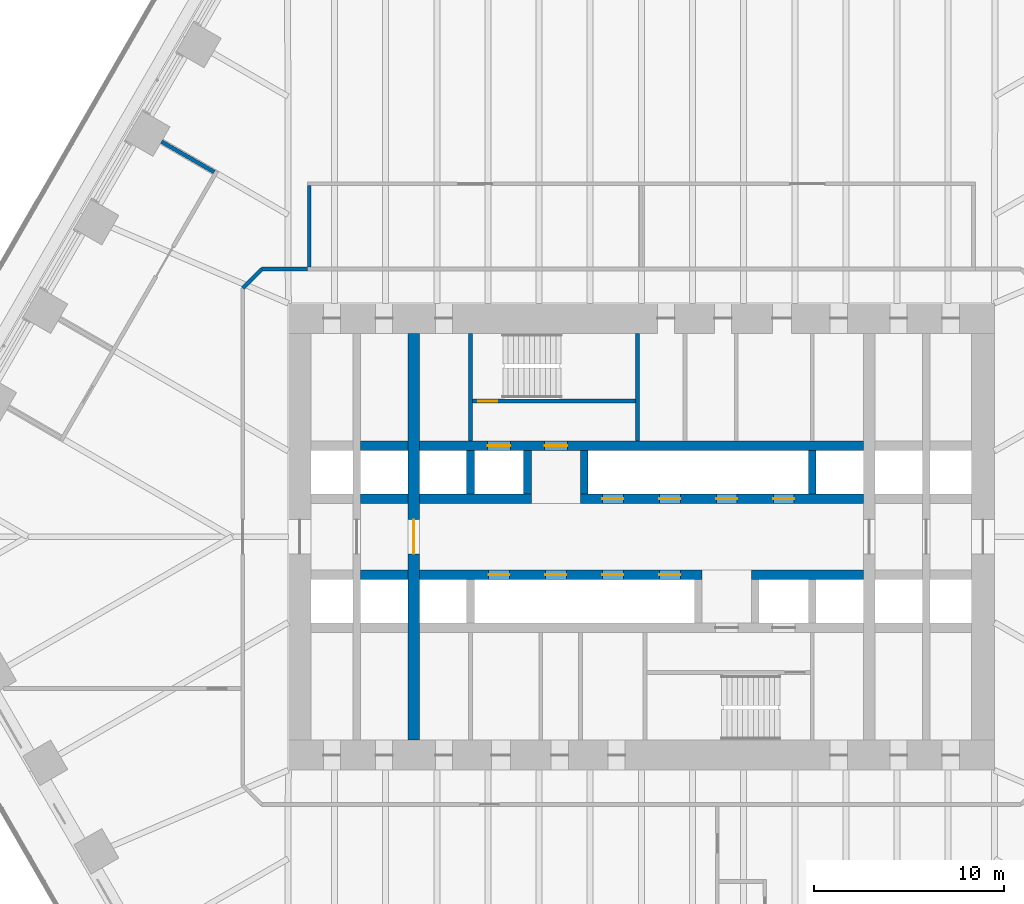
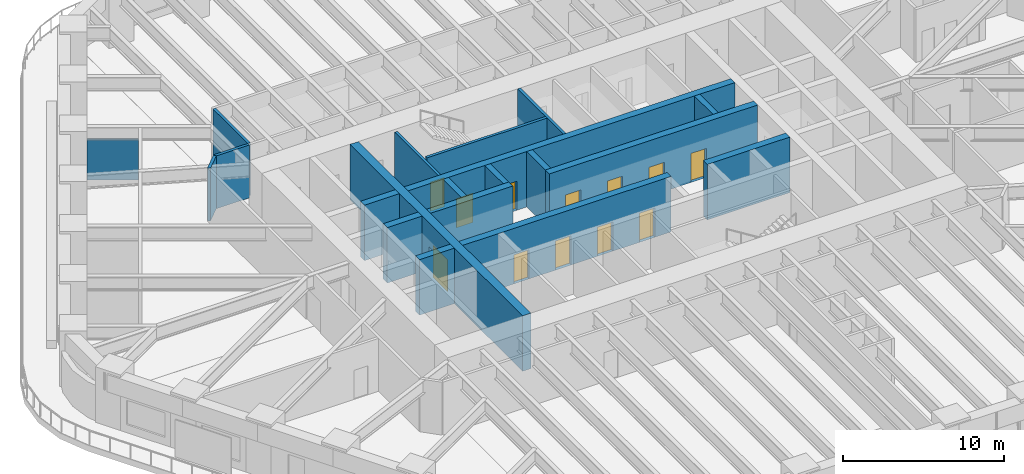
# One storey, part 18 of 24: 20 walls, 12 doors, 12 openings.
"""IFC4 building model written with IfcOpenShell, lengths in metres."""

from ifc_helpers import new_model, si_unit, direction, frame, frame_2d, origin, place, context, subcontext, project, spatial, rectangle, extrude, material, layer, layer_set, type_object, element, fill, save


model = new_model("IFC4")

# Units and contexts
model_context = context("Model", 3, precision=1e-05, world=origin(), true_north=direction((0.0, 1.0)))
body_context = subcontext(model_context, "Body", "Model", "MODEL_VIEW")
ifc_project = project(units=[si_unit("LENGTHUNIT", "METRE"), si_unit("AREAUNIT", "SQUARE_METRE"), si_unit("VOLUMEUNIT", "CUBIC_METRE"), si_unit("PLANEANGLEUNIT", "RADIAN"), si_unit("MASSUNIT", "GRAM", prefix="KILO")], contexts=[model_context])

# Site, building, storey
site_placement = place(None, origin())
site = spatial("IfcSite", under=ifc_project, at=site_placement, CompositionType="ELEMENT")
building_placement = place(site_placement, origin())
building = spatial("IfcBuilding", under=site, at=building_placement, Name="Tarfa Lantern Tower", CompositionType="ELEMENT")
storey_placement = place(building_placement, frame((0.0, 0.0, 90.699951171875)))
storey = spatial("IfcBuildingStorey", under=building, at=storey_placement, Name="L20", CompositionType="ELEMENT", Elevation=90.699951171875)

# Walls
ifc_material_1 = material(Name="Concrete blockwork", Category="masonry")
ifc_layer_1 = layer(ifc_material_1, 0.199951171875)
ifc_layer_set_1 = layer_set([ifc_layer_1], Name="IW1 BLOCKWORK PARTITION 200 EI 120")
wall_type_1 = type_object("IfcWallType", Name="IW1 BLOCKWORK PARTITION 200 EI 120", PredefinedType="PARTITIONING", material=ifc_layer_set_1)
wall_1_placement = place(storey_placement, frame((-9.0, 5.050048828125, 0.0), z_axis=(0.0, 0.0, 1.0), x_axis=(0.0, 1.0, 0.0)))
element("IfcWall", 1, at=wall_1_placement, inside=storey, type_object=wall_type_1, Name="Core partition", PredefinedType="PARTITIONING", context=body_context, shape_type="SweptSolid", body=[
    extrude(rectangle(XDim=5.64990234375, YDim=0.199951171875, at=frame_2d((2.824951171875, 0.0))), origin(), (0.0, 0.0, 1.0), 4.0),
])
ifc_material_2 = material(Name="Gypsum board on steel studs", Category="steel")
ifc_layer_2 = layer(ifc_material_2, 0.2099609375)
ifc_layer_set_2 = layer_set([ifc_layer_2], Name="IW2 ACOUSTIC PARTITION 200")
wall_type_2 = type_object("IfcWallType", Name="IW2 ACOUSTIC PARTITION 200", PredefinedType="PARTITIONING", material=ifc_layer_set_2)
wall_2_placement = place(storey_placement, frame((-17.5, 14.199951171875, 0.0), z_axis=(0.0, 0.0, 1.0), x_axis=(0.0, 1.0, 0.0)))
element("IfcWall", 2, at=wall_2_placement, inside=storey, type_object=wall_type_2, Name="Partition", PredefinedType="PARTITIONING", context=body_context, shape_type="SweptSolid", body=[
    extrude(rectangle(XDim=4.300048828125, YDim=0.199951171875, at=frame_2d((2.14990234375, 0.0))), origin(), (0.0, 0.0, 1.0), 4.0),
])
wall_3_placement = place(storey_placement, frame((-22.507080078125, 19.216552734375, 0.0), z_axis=(0.0, 0.0, 1.0), x_axis=(-0.866008981251, 0.500028443584, 0.0)))
element("IfcWall", 3, at=wall_3_placement, inside=storey, type_object=wall_type_2, Name="Partition", PredefinedType="PARTITIONING", context=body_context, shape_type="SweptSolid", body=[
    extrude(rectangle(XDim=3.199951171875, YDim=0.199951171875, at=frame_2d((1.60009765625, 0.0))), origin(), (0.0, 0.0, 1.0), 2.991943359375),
])
wall_4_placement = place(storey_placement, frame((-20.0, 14.10009765625, 0.0), z_axis=(0.0, 0.0, 1.0), x_axis=(1.0, 0.0, 0.0)))
element("IfcWall", 4, at=wall_4_placement, inside=storey, type_object=wall_type_2, Name="Partition", PredefinedType="PARTITIONING", context=body_context, shape_type="SweptSolid", body=[
    extrude(rectangle(XDim=2.39990234375, YDim=0.199951171875, at=frame_2d((1.199951171875, 0.0))), origin(), (0.0, 0.0, 1.0), 4.0),
])
wall_5_placement = place(storey_placement, frame((-21.0, 13.10009765625, 0.0), z_axis=(0.0, 0.0, 1.0), x_axis=(0.707106781187, 0.707106781187, 0.0)))
element("IfcWall", 5, at=wall_5_placement, inside=storey, type_object=wall_type_2, Name="Partition", PredefinedType="PARTITIONING", context=body_context, shape_type="SweptSolid", body=[
    extrude(rectangle(XDim=1.414306640625, YDim=0.199951171875, at=frame_2d((0.70703125, 0.0))), origin(), (0.0, 0.0, 1.0), 4.0),
])
ifc_material_3 = material(Name="Concrete C80/95", Category="concrete")
ifc_layer_3 = layer(ifc_material_3, 0.199951171875)
ifc_layer_set_3 = layer_set([ifc_layer_3], Name="SW12 CORE WALL 200")
wall_type_3 = type_object("IfcWallType", Name="SW12 CORE WALL 200", PredefinedType="SHEAR", material=ifc_layer_set_3)
wall_6_placement = place(storey_placement, frame((-0.199951171875, 5.050048828125, 0.0), z_axis=(0.0, 0.0, 1.0), x_axis=(0.0, 1.0, 0.0)))
element("IfcWall", 6, at=wall_6_placement, inside=storey, type_object=wall_type_3, Name="Core wall stair shaft N", PredefinedType="SHEAR", context=body_context, shape_type="SweptSolid", body=[
    extrude(rectangle(XDim=5.64990234375, YDim=0.199951171875, at=frame_2d((2.824951171875, 0.0))), origin(), (0.0, 0.0, 1.0), 4.199951171875),
])

# Wall, opening, door
wall_7_placement = place(storey_placement, frame((-8.89990234375, 7.14990234375, 0.0), z_axis=(0.0, 0.0, 1.0), x_axis=(1.0, 0.0, 0.0)))
wall_7 = element("IfcWall", 7, at=wall_7_placement, inside=storey, type_object=wall_type_3, Name="Core wall stair partition N", PredefinedType="SHEAR", context=body_context, shape_type="SweptSolid", body=[
    extrude(rectangle(XDim=8.599853515625, YDim=0.199951171875, at=frame_2d((4.2998046875, 0.0))), origin(), (0.0, 0.0, 1.0), 4.199951171875),
])
opening_1_placement = place(wall_7_placement, frame((0.300048828125, 0.0, 0.0)))
opening_1 = element("IfcOpeningElement", 8, at=opening_1_placement, cuts=wall_7, Name="Opening D23", PredefinedType="OPENING", context=body_context, shape_type="SweptSolid", body=[
    extrude(rectangle(XDim=1.0, YDim=2.199951171875, at=frame_2d((0.5, 1.10009765625))), frame((0.0, 0.10986328125, 0.0), z_axis=(0.0, -1.0, 0.0), x_axis=(1.0, 0.0, 0.0)), (0.0, 0.0, 1.0), 0.219970703125),
])
ifc_material_4 = material(Name="Steel fire door", Category="steel")
door_type_1 = type_object("IfcDoorType", Name="DF2 STAIR DOOR 1000x2200", OperationType="SINGLE_SWING_LEFT", PredefinedType="DOOR", material=ifc_material_4)
door_1_placement = place(opening_1_placement, origin())
door_1 = element("IfcDoor", 9, at=door_1_placement, inside=storey, type_object=door_type_1, Name="Stair door", OperationType="SINGLE_SWING_RIGHT", OverallHeight=2.199951171875, OverallWidth=1.0, PredefinedType="DOOR", context=body_context, shape_type="SweptSolid", body=[
    extrude(rectangle(XDim=1.0, YDim=2.199951171875, at=frame_2d((0.5, 1.10009765625))), frame((0.0, 0.02490234375, 0.0), z_axis=(0.0, -1.0, 0.0), x_axis=(1.0, 0.0, 0.0)), (0.0, 0.0, 1.0), 0.050048828125),
])
fill(opening_1, door_1)

# Walls
ifc_layer_4 = layer(ifc_material_3, 0.5)
ifc_layer_set_4 = layer_set([ifc_layer_4], Name="SW5 CORE WALL 500")
wall_type_4 = type_object("IfcWallType", Name="SW5 CORE WALL 500", PredefinedType="SHEAR", material=ifc_layer_set_4)
wall_8_placement = place(storey_placement, frame((-14.800048828125, 2.0, 0.0), z_axis=(0.0, 0.0, 1.0), x_axis=(1.0, 0.0, 0.0)))
element("IfcWall", 10, at=wall_8_placement, inside=storey, type_object=wall_type_4, Name="Core wall lobby west N", PredefinedType="SHEAR", context=body_context, shape_type="SweptSolid", body=[
    extrude(rectangle(XDim=2.5, YDim=0.5, at=frame_2d((1.25, 0.0))), origin(), (0.0, 0.0, 1.0), 4.199951171875),
])
wall_9_placement = place(storey_placement, frame((-11.699951171875, 2.0, 0.0), z_axis=(0.0, 0.0, 1.0), x_axis=(1.0, 0.0, 0.0)))
element("IfcWall", 11, at=wall_9_placement, inside=storey, type_object=wall_type_4, Name="Core wall lobby west N", PredefinedType="SHEAR", context=body_context, shape_type="SweptSolid", body=[
    extrude(rectangle(XDim=5.89990234375, YDim=0.5, at=frame_2d((2.949951171875, 0.0))), origin(), (0.0, 0.0, 1.0), 4.199951171875),
])

# Wall, openings, doors
wall_10_placement = place(storey_placement, frame((-3.199951171875, 2.0, 0.0), z_axis=(0.0, 0.0, 1.0), x_axis=(1.0, 0.0, 0.0)))
wall_10 = element("IfcWall", 12, at=wall_10_placement, inside=storey, type_object=wall_type_4, Name="Core wall lobby east N", PredefinedType="SHEAR", context=body_context, shape_type="SweptSolid", body=[
    extrude(rectangle(XDim=14.89990234375, YDim=0.5, at=frame_2d((7.449951171875, 0.0))), origin(), (0.0, 0.0, 1.0), 4.199951171875),
])
opening_2_placement = place(wall_10_placement, frame((1.14990234375, 0.0, 0.0)))
opening_2 = element("IfcOpeningElement", 13, at=opening_2_placement, cuts=wall_10, Name="Opening LD03", PredefinedType="OPENING", context=body_context, shape_type="SweptSolid", body=[
    extrude(rectangle(XDim=1.10009765625, YDim=2.199951171875, at=frame_2d((0.550048828125, 1.10009765625))), frame((0.0, 0.260009765625, 0.0), z_axis=(0.0, -1.0, 0.0), x_axis=(1.0, 0.0, 0.0)), (0.0, 0.0, 1.0), 0.52001953125),
])
opening_3_placement = place(wall_10_placement, frame((4.14990234375, 0.0, 0.0)))
opening_3 = element("IfcOpeningElement", 14, at=opening_3_placement, cuts=wall_10, Name="Opening LD04", PredefinedType="OPENING", context=body_context, shape_type="SweptSolid", body=[
    extrude(rectangle(XDim=1.10009765625, YDim=2.199951171875, at=frame_2d((0.550048828125, 1.10009765625))), frame((0.0, 0.260009765625, 0.0), z_axis=(0.0, -1.0, 0.0), x_axis=(1.0, 0.0, 0.0)), (0.0, 0.0, 1.0), 0.52001953125),
])
opening_4_placement = place(wall_10_placement, frame((7.14990234375, 0.0, 0.0)))
opening_4 = element("IfcOpeningElement", 15, at=opening_4_placement, cuts=wall_10, Name="Opening LD05", PredefinedType="OPENING", context=body_context, shape_type="SweptSolid", body=[
    extrude(rectangle(XDim=1.10009765625, YDim=2.199951171875, at=frame_2d((0.550048828125, 1.10009765625))), frame((0.0, 0.260009765625, 0.0), z_axis=(0.0, -1.0, 0.0), x_axis=(1.0, 0.0, 0.0)), (0.0, 0.0, 1.0), 0.52001953125),
])
opening_5_placement = place(wall_10_placement, frame((10.14990234375, 0.0, 0.0)))
opening_5 = element("IfcOpeningElement", 16, at=opening_5_placement, cuts=wall_10, Name="Opening LD06", PredefinedType="OPENING", context=body_context, shape_type="SweptSolid", body=[
    extrude(rectangle(XDim=1.10009765625, YDim=2.199951171875, at=frame_2d((0.550048828125, 1.10009765625))), frame((0.0, 0.260009765625, 0.0), z_axis=(0.0, -1.0, 0.0), x_axis=(1.0, 0.0, 0.0)), (0.0, 0.0, 1.0), 0.52001953125),
])
ifc_material_5 = material(Name="Stainless steel lift door", Category="steel")
door_type_2 = type_object("IfcDoorType", Name="LD2 LIFT LANDING DOOR 1100x2200", OperationType="SLIDING_TO_LEFT", PredefinedType="DOOR", material=ifc_material_5)
door_2_placement = place(opening_2_placement, frame((1.10009765625, 0.0, 0.0), z_axis=(0.0, 0.0, 1.0), x_axis=(-1.0, 0.0, 0.0)))
door_2 = element("IfcDoor", 17, at=door_2_placement, inside=storey, type_object=door_type_2, Name="Landing door PA1", OperationType="SLIDING_TO_LEFT", OverallHeight=2.199951171875, OverallWidth=1.10009765625, PredefinedType="DOOR", context=body_context, shape_type="SweptSolid", body=[
    extrude(rectangle(XDim=1.10009765625, YDim=2.199951171875, at=frame_2d((0.550048828125, 1.10009765625))), frame((0.0, 0.02490234375, 0.0), z_axis=(0.0, -1.0, 0.0), x_axis=(1.0, 0.0, 0.0)), (0.0, 0.0, 1.0), 0.050048828125),
])
fill(opening_2, door_2)
door_3_placement = place(opening_3_placement, frame((1.10009765625, 0.0, 0.0), z_axis=(0.0, 0.0, 1.0), x_axis=(-1.0, 0.0, 0.0)))
door_3 = element("IfcDoor", 18, at=door_3_placement, inside=storey, type_object=door_type_2, Name="Landing door PA2", OperationType="SLIDING_TO_LEFT", OverallHeight=2.199951171875, OverallWidth=1.10009765625, PredefinedType="DOOR", context=body_context, shape_type="SweptSolid", body=[
    extrude(rectangle(XDim=1.10009765625, YDim=2.199951171875, at=frame_2d((0.550048828125, 1.10009765625))), frame((0.0, 0.02490234375, 0.0), z_axis=(0.0, -1.0, 0.0), x_axis=(1.0, 0.0, 0.0)), (0.0, 0.0, 1.0), 0.050048828125),
])
fill(opening_3, door_3)
door_4_placement = place(opening_4_placement, frame((1.10009765625, 0.0, 0.0), z_axis=(0.0, 0.0, 1.0), x_axis=(-1.0, 0.0, 0.0)))
door_4 = element("IfcDoor", 19, at=door_4_placement, inside=storey, type_object=door_type_2, Name="Landing door PA3", OperationType="SLIDING_TO_LEFT", OverallHeight=2.199951171875, OverallWidth=1.10009765625, PredefinedType="DOOR", context=body_context, shape_type="SweptSolid", body=[
    extrude(rectangle(XDim=1.10009765625, YDim=2.199951171875, at=frame_2d((0.550048828125, 1.10009765625))), frame((0.0, 0.02490234375, 0.0), z_axis=(0.0, -1.0, 0.0), x_axis=(1.0, 0.0, 0.0)), (0.0, 0.0, 1.0), 0.050048828125),
])
fill(opening_4, door_4)
door_5_placement = place(opening_5_placement, frame((1.10009765625, 0.0, 0.0), z_axis=(0.0, 0.0, 1.0), x_axis=(-1.0, 0.0, 0.0)))
door_5 = element("IfcDoor", 20, at=door_5_placement, inside=storey, type_object=door_type_2, Name="Landing door PA4", OperationType="SLIDING_TO_LEFT", OverallHeight=2.199951171875, OverallWidth=1.10009765625, PredefinedType="DOOR", context=body_context, shape_type="SweptSolid", body=[
    extrude(rectangle(XDim=1.10009765625, YDim=2.199951171875, at=frame_2d((0.550048828125, 1.10009765625))), frame((0.0, 0.02490234375, 0.0), z_axis=(0.0, -1.0, 0.0), x_axis=(1.0, 0.0, 0.0)), (0.0, 0.0, 1.0), 0.050048828125),
])
fill(opening_5, door_5)

# Wall
wall_11_placement = place(storey_placement, frame((-14.800048828125, 4.800048828125, 0.0), z_axis=(0.0, 0.0, 1.0), x_axis=(1.0, 0.0, 0.0)))
element("IfcWall", 21, at=wall_11_placement, inside=storey, type_object=wall_type_4, Name="Core wall rear N", PredefinedType="SHEAR", context=body_context, shape_type="SweptSolid", body=[
    extrude(rectangle(XDim=2.5, YDim=0.5, at=frame_2d((1.25, 0.0))), origin(), (0.0, 0.0, 1.0), 4.199951171875),
])

# Wall, openings, doors
wall_12_placement = place(storey_placement, frame((-11.699951171875, 4.800048828125, 0.0), z_axis=(0.0, 0.0, 1.0), x_axis=(1.0, 0.0, 0.0)))
wall_12 = element("IfcWall", 22, at=wall_12_placement, inside=storey, type_object=wall_type_4, Name="Core wall rear N", PredefinedType="SHEAR", context=body_context, shape_type="SweptSolid", body=[
    extrude(rectangle(XDim=23.39990234375, YDim=0.5, at=frame_2d((11.699951171875, 0.0))), origin(), (0.0, 0.0, 1.0), 4.199951171875),
])
opening_6_placement = place(wall_12_placement, frame((6.60009765625, 0.0, 0.0)))
opening_6 = element("IfcOpeningElement", 23, at=opening_6_placement, cuts=wall_12, Name="Opening D13", PredefinedType="OPENING", context=body_context, shape_type="SweptSolid", body=[
    extrude(rectangle(XDim=1.199951171875, YDim=2.199951171875, at=frame_2d((0.60009765625, 1.10009765625))), frame((0.0, 0.260009765625, 0.0), z_axis=(0.0, -1.0, 0.0), x_axis=(1.0, 0.0, 0.0)), (0.0, 0.0, 1.0), 0.52001953125),
])
opening_7_placement = place(wall_12_placement, frame((3.60009765625, 0.0, 0.0)))
opening_7 = element("IfcOpeningElement", 24, at=opening_7_placement, cuts=wall_12, Name="Opening LD01", PredefinedType="OPENING", context=body_context, shape_type="SweptSolid", body=[
    extrude(rectangle(XDim=1.199951171875, YDim=2.199951171875, at=frame_2d((0.60009765625, 1.10009765625))), frame((0.0, 0.260009765625, 0.0), z_axis=(0.0, -1.0, 0.0), x_axis=(1.0, 0.0, 0.0)), (0.0, 0.0, 1.0), 0.52001953125),
])
door_type_3 = type_object("IfcDoorType", Name="DF1 FIREFIGHTING LOBBY DOOR 1200x2200", OperationType="SINGLE_SWING_LEFT", PredefinedType="DOOR", material=ifc_material_4)
door_6_placement = place(opening_6_placement, origin())
door_6 = element("IfcDoor", 25, at=door_6_placement, inside=storey, type_object=door_type_3, Name="Firefighting lobby door", OperationType="SINGLE_SWING_LEFT", OverallHeight=2.199951171875, OverallWidth=1.199951171875, PredefinedType="DOOR", context=body_context, shape_type="SweptSolid", body=[
    extrude(rectangle(XDim=1.199951171875, YDim=2.199951171875, at=frame_2d((0.60009765625, 1.10009765625))), frame((0.0, 0.02490234375, 0.0), z_axis=(0.0, -1.0, 0.0), x_axis=(1.0, 0.0, 0.0)), (0.0, 0.0, 1.0), 0.050048828125),
])
fill(opening_6, door_6)
door_type_4 = type_object("IfcDoorType", Name="LD1 LIFT LANDING DOOR 1200x2200", OperationType="SLIDING_TO_LEFT", PredefinedType="DOOR", material=ifc_material_5)
door_7_placement = place(opening_7_placement, origin())
door_7 = element("IfcDoor", 26, at=door_7_placement, inside=storey, type_object=door_type_4, Name="Landing door FL1", OperationType="SLIDING_TO_LEFT", OverallHeight=2.199951171875, OverallWidth=1.199951171875, PredefinedType="DOOR", context=body_context, shape_type="SweptSolid", body=[
    extrude(rectangle(XDim=1.199951171875, YDim=2.199951171875, at=frame_2d((0.60009765625, 1.10009765625))), frame((0.0, 0.02490234375, 0.0), z_axis=(0.0, -1.0, 0.0), x_axis=(1.0, 0.0, 0.0)), (0.0, 0.0, 1.0), 0.050048828125),
])
fill(opening_7, door_7)

# Wall
wall_13_placement = place(storey_placement, frame((11.699951171875, -2.0, 0.0), z_axis=(0.0, 0.0, 1.0), x_axis=(-1.0, 0.0, 0.0)))
element("IfcWall", 27, at=wall_13_placement, inside=storey, type_object=wall_type_4, Name="Core wall lobby west S", PredefinedType="SHEAR", context=body_context, shape_type="SweptSolid", body=[
    extrude(rectangle(XDim=5.89990234375, YDim=0.5, at=frame_2d((2.949951171875, 0.0))), origin(), (0.0, 0.0, 1.0), 4.199951171875),
])

# Wall, openings, doors
wall_14_placement = place(storey_placement, frame((3.199951171875, -2.0, 0.0), z_axis=(0.0, 0.0, 1.0), x_axis=(-1.0, 0.0, 0.0)))
wall_14 = element("IfcWall", 28, at=wall_14_placement, inside=storey, type_object=wall_type_4, Name="Core wall lobby east S", PredefinedType="SHEAR", context=body_context, shape_type="SweptSolid", body=[
    extrude(rectangle(XDim=14.89990234375, YDim=0.5, at=frame_2d((7.449951171875, 0.0))), origin(), (0.0, 0.0, 1.0), 4.199951171875),
])
opening_8_placement = place(wall_14_placement, frame((1.14990234375, 0.0, 0.0)))
opening_8 = element("IfcOpeningElement", 29, at=opening_8_placement, cuts=wall_14, Name="Opening LD07", PredefinedType="OPENING", context=body_context, shape_type="SweptSolid", body=[
    extrude(rectangle(XDim=1.10009765625, YDim=2.199951171875, at=frame_2d((0.550048828125, 1.10009765625))), frame((0.0, 0.260009765625, 0.0), z_axis=(0.0, -1.0, 0.0), x_axis=(1.0, 0.0, 0.0)), (0.0, 0.0, 1.0), 0.52001953125),
])
opening_9_placement = place(wall_14_placement, frame((4.14990234375, 0.0, 0.0)))
opening_9 = element("IfcOpeningElement", 30, at=opening_9_placement, cuts=wall_14, Name="Opening LD08", PredefinedType="OPENING", context=body_context, shape_type="SweptSolid", body=[
    extrude(rectangle(XDim=1.10009765625, YDim=2.199951171875, at=frame_2d((0.550048828125, 1.10009765625))), frame((0.0, 0.260009765625, 0.0), z_axis=(0.0, -1.0, 0.0), x_axis=(1.0, 0.0, 0.0)), (0.0, 0.0, 1.0), 0.52001953125),
])
opening_10_placement = place(wall_14_placement, frame((7.14990234375, 0.0, 0.0)))
opening_10 = element("IfcOpeningElement", 31, at=opening_10_placement, cuts=wall_14, Name="Opening LD09", PredefinedType="OPENING", context=body_context, shape_type="SweptSolid", body=[
    extrude(rectangle(XDim=1.10009765625, YDim=2.199951171875, at=frame_2d((0.550048828125, 1.10009765625))), frame((0.0, 0.260009765625, 0.0), z_axis=(0.0, -1.0, 0.0), x_axis=(1.0, 0.0, 0.0)), (0.0, 0.0, 1.0), 0.52001953125),
])
opening_11_placement = place(wall_14_placement, frame((10.14990234375, 0.0, 0.0)))
opening_11 = element("IfcOpeningElement", 32, at=opening_11_placement, cuts=wall_14, Name="Opening LD10", PredefinedType="OPENING", context=body_context, shape_type="SweptSolid", body=[
    extrude(rectangle(XDim=1.10009765625, YDim=2.199951171875, at=frame_2d((0.550048828125, 1.10009765625))), frame((0.0, 0.260009765625, 0.0), z_axis=(0.0, -1.0, 0.0), x_axis=(1.0, 0.0, 0.0)), (0.0, 0.0, 1.0), 0.52001953125),
])
door_8_placement = place(opening_8_placement, frame((1.10009765625, 0.0, 0.0), z_axis=(0.0, 0.0, 1.0), x_axis=(-1.0, 0.0, 0.0)))
door_8 = element("IfcDoor", 33, at=door_8_placement, inside=storey, type_object=door_type_2, Name="Landing door PA5", OperationType="SLIDING_TO_LEFT", OverallHeight=2.199951171875, OverallWidth=1.10009765625, PredefinedType="DOOR", context=body_context, shape_type="SweptSolid", body=[
    extrude(rectangle(XDim=1.10009765625, YDim=2.199951171875, at=frame_2d((0.550048828125, 1.10009765625))), frame((0.0, 0.02490234375, 0.0), z_axis=(0.0, -1.0, 0.0), x_axis=(1.0, 0.0, 0.0)), (0.0, 0.0, 1.0), 0.050048828125),
])
fill(opening_8, door_8)
door_9_placement = place(opening_9_placement, frame((1.10009765625, 0.0, 0.0), z_axis=(0.0, 0.0, 1.0), x_axis=(-1.0, 0.0, 0.0)))
door_9 = element("IfcDoor", 34, at=door_9_placement, inside=storey, type_object=door_type_2, Name="Landing door PA6", OperationType="SLIDING_TO_LEFT", OverallHeight=2.199951171875, OverallWidth=1.10009765625, PredefinedType="DOOR", context=body_context, shape_type="SweptSolid", body=[
    extrude(rectangle(XDim=1.10009765625, YDim=2.199951171875, at=frame_2d((0.550048828125, 1.10009765625))), frame((0.0, 0.02490234375, 0.0), z_axis=(0.0, -1.0, 0.0), x_axis=(1.0, 0.0, 0.0)), (0.0, 0.0, 1.0), 0.050048828125),
])
fill(opening_9, door_9)
door_10_placement = place(opening_10_placement, frame((1.10009765625, 0.0, 0.0), z_axis=(0.0, 0.0, 1.0), x_axis=(-1.0, 0.0, 0.0)))
door_10 = element("IfcDoor", 35, at=door_10_placement, inside=storey, type_object=door_type_2, Name="Landing door PA7", OperationType="SLIDING_TO_LEFT", OverallHeight=2.199951171875, OverallWidth=1.10009765625, PredefinedType="DOOR", context=body_context, shape_type="SweptSolid", body=[
    extrude(rectangle(XDim=1.10009765625, YDim=2.199951171875, at=frame_2d((0.550048828125, 1.10009765625))), frame((0.0, 0.02490234375, 0.0), z_axis=(0.0, -1.0, 0.0), x_axis=(1.0, 0.0, 0.0)), (0.0, 0.0, 1.0), 0.050048828125),
])
fill(opening_10, door_10)
door_11_placement = place(opening_11_placement, frame((1.10009765625, 0.0, 0.0), z_axis=(0.0, 0.0, 1.0), x_axis=(-1.0, 0.0, 0.0)))
door_11 = element("IfcDoor", 36, at=door_11_placement, inside=storey, type_object=door_type_2, Name="Landing door PA8", OperationType="SLIDING_TO_LEFT", OverallHeight=2.199951171875, OverallWidth=1.10009765625, PredefinedType="DOOR", context=body_context, shape_type="SweptSolid", body=[
    extrude(rectangle(XDim=1.10009765625, YDim=2.199951171875, at=frame_2d((0.550048828125, 1.10009765625))), frame((0.0, 0.02490234375, 0.0), z_axis=(0.0, -1.0, 0.0), x_axis=(1.0, 0.0, 0.0)), (0.0, 0.0, 1.0), 0.050048828125),
])
fill(opening_11, door_11)

# Walls
wall_15_placement = place(storey_placement, frame((-12.300048828125, -2.0, 0.0), z_axis=(0.0, 0.0, 1.0), x_axis=(-1.0, 0.0, 0.0)))
element("IfcWall", 37, at=wall_15_placement, inside=storey, type_object=wall_type_4, Name="Core wall lobby east S", PredefinedType="SHEAR", context=body_context, shape_type="SweptSolid", body=[
    extrude(rectangle(XDim=2.5, YDim=0.5, at=frame_2d((1.25, 0.0))), origin(), (0.0, 0.0, 1.0), 4.199951171875),
])
ifc_layer_5 = layer(ifc_material_3, 0.39990234375)
ifc_layer_set_5 = layer_set([ifc_layer_5], Name="SW6 CORE WALL 400")
wall_type_5 = type_object("IfcWallType", Name="SW6 CORE WALL 400", PredefinedType="SHEAR", material=ifc_layer_set_5)
for number, where, z_axis, x_axis, name in (
    (38, (-9.0, 2.25, 0.0), (0.0, 0.0, 1.0), (0.0, 1.0, 0.0), "Core wall divider N"),
    (39, (-6.0, 2.25, 0.0), (0.0, 0.0, 1.0), (0.0, 1.0, 0.0), "Core wall divider N"),
    (40, (-3.0, 2.25, 0.0), (0.0, 0.0, 1.0), (0.0, 1.0, 0.0), "Core wall divider N"),
    (41, (9.0, 2.25, 0.0), (0.0, 0.0, 1.0), (0.0, 1.0, 0.0), "Core wall divider N"),
):
    element("IfcWall", number, at=place(storey_placement, frame(where, z_axis=z_axis, x_axis=x_axis)), inside=storey, type_object=wall_type_5, Name=name, PredefinedType="SHEAR", context=body_context, shape_type="SweptSolid", body=[
        extrude(rectangle(XDim=2.300048828125, YDim=0.39990234375, at=frame_2d((1.14990234375, 0.0))), origin(), (0.0, 0.0, 1.0), 4.199951171875),
    ])

# Wall, opening, door
ifc_layer_6 = layer(ifc_material_3, 0.60009765625)
ifc_layer_set_6 = layer_set([ifc_layer_6], Name="SW9 CORE WALL 600")
wall_type_6 = type_object("IfcWallType", Name="SW9 CORE WALL 600", PredefinedType="SHEAR", material=ifc_layer_set_6)
wall_16_placement = place(storey_placement, frame((-12.0, -10.699951171875, 0.0), z_axis=(0.0, 0.0, 1.0), x_axis=(0.0, 1.0, 0.0)))
wall_16 = element("IfcWall", 42, at=wall_16_placement, inside=storey, type_object=wall_type_6, Name="Core wall cross 12 m west", PredefinedType="SHEAR", context=body_context, shape_type="SweptSolid", body=[
    extrude(rectangle(XDim=21.39990234375, YDim=0.60009765625, at=frame_2d((10.699951171875, 0.0))), origin(), (0.0, 0.0, 1.0), 4.199951171875),
])
opening_12_placement = place(wall_16_placement, frame((9.800048828125, 0.0, 0.0)))
opening_12 = element("IfcOpeningElement", 43, at=opening_12_placement, cuts=wall_16, Name="Opening D27", PredefinedType="OPENING", context=body_context, shape_type="SweptSolid", body=[
    extrude(rectangle(XDim=1.800048828125, YDim=2.39990234375, at=frame_2d((0.89990234375, 1.199951171875))), frame((0.0, 0.31005859375, 0.0), z_axis=(0.0, -1.0, 0.0), x_axis=(1.0, 0.0, 0.0)), (0.0, 0.0, 1.0), 0.6201171875),
])
door_type_5 = type_object("IfcDoorType", Name="DL1 LOBBY DOOR 1800x2400", OperationType="DOUBLE_DOOR_SINGLE_SWING", PredefinedType="DOOR", material=ifc_material_4)
door_12_placement = place(opening_12_placement, origin())
door_12 = element("IfcDoor", 44, at=door_12_placement, inside=storey, type_object=door_type_5, Name="Lift lobby door", OperationType="DOUBLE_DOOR_SINGLE_SWING", OverallHeight=2.39990234375, OverallWidth=1.800048828125, PredefinedType="DOOR", context=body_context, shape_type="SweptSolid", body=[
    extrude(rectangle(XDim=1.800048828125, YDim=2.39990234375, at=frame_2d((0.89990234375, 1.199951171875))), frame((0.0, 0.02490234375, 0.0), z_axis=(0.0, -1.0, 0.0), x_axis=(1.0, 0.0, 0.0)), (0.0, 0.0, 1.0), 0.050048828125),
])
fill(opening_12, door_12)

save(model, "model.ifc")
